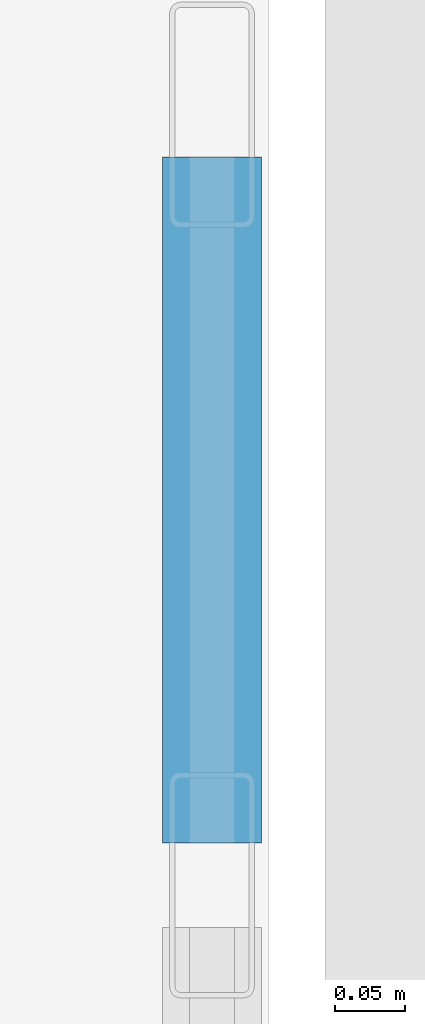
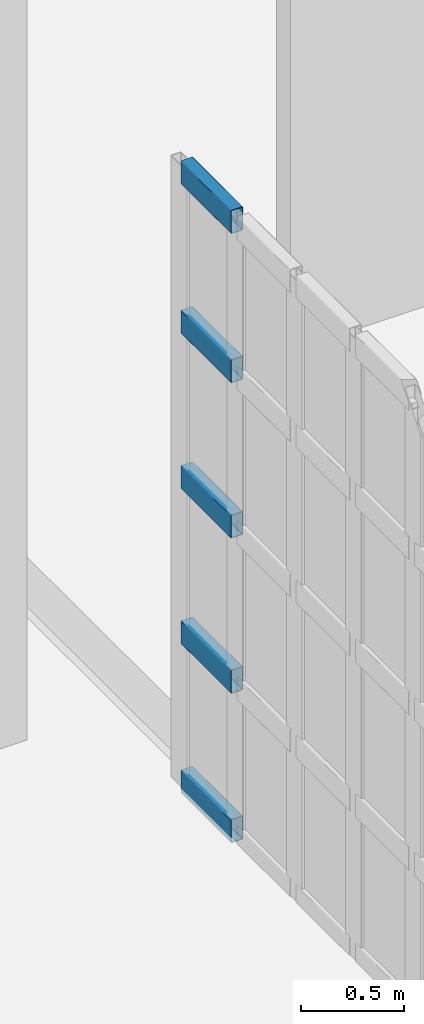
# One storey, part 66 of 104: 5 members, 1 element without a shape of its own.
"""IFC4 building model written with IfcOpenShell, lengths in metres."""

from ifc_helpers import new_model, si_unit, direction, frame, origin, origin_2d, place, context, subcontext, project, spatial, hollow_rectangle, extrude, material, material_profile, profile_set, type_object, element, aggregate, save


model = new_model("IFC4")

# Units and contexts
model_context = context("Model", 3, precision=1e-05, world=origin(), true_north=direction((0.0, 1.0)))
body_context = subcontext(model_context, "Body", "Model", "MODEL_VIEW")
ifc_project = project(units=[si_unit("LENGTHUNIT", "METRE"), si_unit("AREAUNIT", "SQUARE_METRE"), si_unit("VOLUMEUNIT", "CUBIC_METRE"), si_unit("PLANEANGLEUNIT", "RADIAN"), si_unit("MASSUNIT", "GRAM", prefix="KILO")], contexts=[model_context])

# Site, building, storey
site_placement = place(None, origin())
site = spatial("IfcSite", under=ifc_project, at=site_placement, CompositionType="ELEMENT")
building_placement = place(site_placement, origin())
building = spatial("IfcBuilding", under=site, at=building_placement, Name="Kaelora Sail Theatre", CompositionType="ELEMENT")
storey_placement = place(building_placement, frame((0.0, 0.0, 5.39990234375)))
storey = spatial("IfcBuildingStorey", under=building, at=storey_placement, Name="L01", CompositionType="ELEMENT", Elevation=5.39990234375)

# Curtain wall, members
ifc_material_1 = material(Name="Anodised aluminium and solar-control low-E IGU", Category="aluminium")
curtain_wall_type = type_object("IfcCurtainWallType", Name="ARC-CW-CW-PROW", PredefinedType="NOTDEFINED", material=ifc_material_1)
curtain_wall_placement = place(storey_placement, origin())
curtain_wall = element("IfcCurtainWall", 1, at=curtain_wall_placement, inside=storey, type_object=curtain_wall_type, Name="East Interstitial Foyer East Glazed Return L01-03", PredefinedType="NOTDEFINED")
ifc_material_2 = material(Name="Anodised aluminium 6063-T6", Category="aluminium")
ifc_material_profile = material_profile(ifc_material_2, hollow_rectangle(XDim=0.070068359375, YDim=0.139892578125, WallThickness=0.00390625, InnerFilletRadius=0.00390625, OuterFilletRadius=0.008056640625, at=origin_2d()), Name="ALU-TRAN 70x140x4")
ifc_profile_set = profile_set([ifc_material_profile], Name="Anodised aluminium 6063-T6")
member_type = type_object("IfcMemberType", Name="ARC-MEM-TR-140", PredefinedType="USERDEFINED", material=ifc_profile_set)
member_1_placement = place(storey_placement, frame((122.719970703125, 57.653564453125, 0.03515625), z_axis=(0.0, 1.0, 0.0), x_axis=(-1.0, 0.0, 0.0)))
member_1 = element("IfcMember", 2, at=member_1_placement, type_object=member_type, Name="CW-PROW transom 7.1", ObjectType="TRANSOM", PredefinedType="USERDEFINED", context=body_context, shape_type="SweptSolid", body=[
    extrude(hollow_rectangle(XDim=0.070068359375, YDim=0.139892578125, WallThickness=0.00390625, InnerFilletRadius=0.00390625, OuterFilletRadius=0.008056640625, at=origin_2d()), origin(), (0.0, 0.0, 1.0), 0.486328125),
])
member_2_placement = place(storey_placement, frame((122.719970703125, 57.653564453125, 0.921875), z_axis=(0.0, 1.0, 0.0), x_axis=(-1.0, 0.0, 0.0)))
member_2 = element("IfcMember", 3, at=member_2_placement, type_object=member_type, Name="CW-PROW transom 7.2", ObjectType="TRANSOM", PredefinedType="USERDEFINED", context=body_context, shape_type="SweptSolid", body=[
    extrude(hollow_rectangle(XDim=0.070068359375, YDim=0.139892578125, WallThickness=0.00390625, InnerFilletRadius=0.00390625, OuterFilletRadius=0.008056640625, at=origin_2d()), origin(), (0.0, 0.0, 1.0), 0.486328125),
])
member_3_placement = place(storey_placement, frame((122.719970703125, 57.653564453125, 1.843505859375), z_axis=(0.0, 1.0, 0.0), x_axis=(-1.0, 0.0, 0.0)))
member_3 = element("IfcMember", 4, at=member_3_placement, type_object=member_type, Name="CW-PROW transom 7.3", ObjectType="TRANSOM", PredefinedType="USERDEFINED", context=body_context, shape_type="SweptSolid", body=[
    extrude(hollow_rectangle(XDim=0.070068359375, YDim=0.139892578125, WallThickness=0.00390625, InnerFilletRadius=0.00390625, OuterFilletRadius=0.008056640625, at=origin_2d()), origin(), (0.0, 0.0, 1.0), 0.486328125),
])
member_4_placement = place(storey_placement, frame((122.719970703125, 57.653564453125, 2.765380859375), z_axis=(0.0, 1.0, 0.0), x_axis=(-1.0, 0.0, 0.0)))
member_4 = element("IfcMember", 5, at=member_4_placement, type_object=member_type, Name="CW-PROW transom 7.4", ObjectType="TRANSOM", PredefinedType="USERDEFINED", context=body_context, shape_type="SweptSolid", body=[
    extrude(hollow_rectangle(XDim=0.070068359375, YDim=0.139892578125, WallThickness=0.00390625, InnerFilletRadius=0.00390625, OuterFilletRadius=0.008056640625, at=origin_2d()), origin(), (0.0, 0.0, 1.0), 0.486328125),
])
member_5_placement = place(storey_placement, frame((122.719970703125, 57.653564453125, 3.652099609375), z_axis=(0.0, 1.0, 0.0), x_axis=(-1.0, 0.0, 0.0)))
member_5 = element("IfcMember", 6, at=member_5_placement, type_object=member_type, Name="CW-PROW transom 7.5", ObjectType="TRANSOM", PredefinedType="USERDEFINED", context=body_context, shape_type="SweptSolid", body=[
    extrude(hollow_rectangle(XDim=0.070068359375, YDim=0.139892578125, WallThickness=0.00390625, InnerFilletRadius=0.00390625, OuterFilletRadius=0.008056640625, at=origin_2d()), origin(), (0.0, 0.0, 1.0), 0.486328125),
])
aggregate(curtain_wall, [member_1, member_2, member_3, member_4, member_5])

save(model, "model.ifc")
